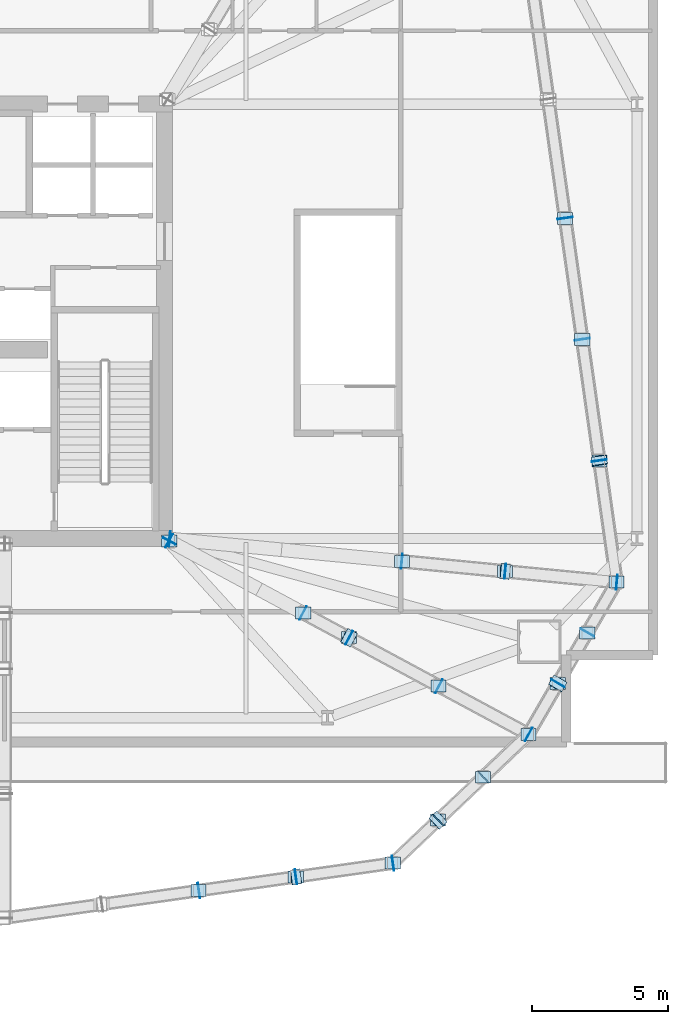
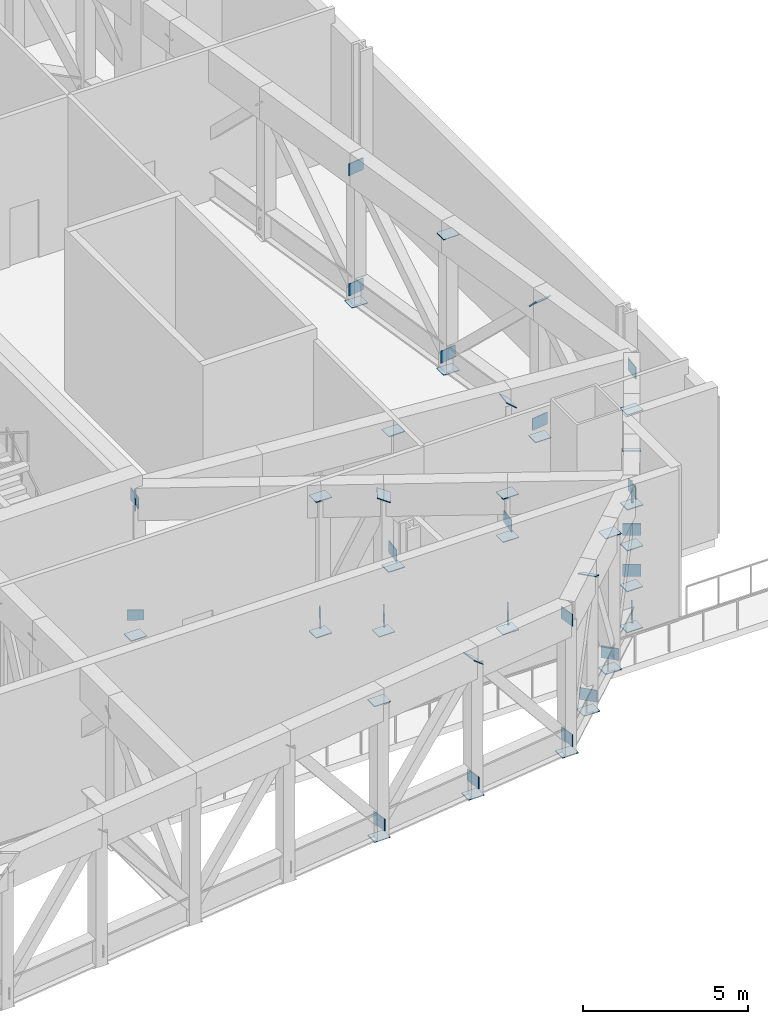
# One storey, part 7 of 15: 55 plates.
"""IFC4 building model written with IfcOpenShell, lengths in metres."""

from ifc_helpers import new_model, si_unit, direction, frame, origin, origin_2d, place, context, subcontext, project, spatial, rectangle, extrude, source, transform, mapped, material, layer, layer_set, type_object, element, save


model = new_model("IFC4")

# Units and contexts
model_context = context("Model", 3, precision=1e-05, world=origin(), true_north=direction((0.0, 1.0)))
body_context = subcontext(model_context, "Body", "Model", "MODEL_VIEW")
ifc_project = project(units=[si_unit("LENGTHUNIT", "METRE"), si_unit("AREAUNIT", "SQUARE_METRE"), si_unit("VOLUMEUNIT", "CUBIC_METRE"), si_unit("PLANEANGLEUNIT", "RADIAN"), si_unit("MASSUNIT", "GRAM", prefix="KILO")], contexts=[model_context])

# Site, building, storey
site_placement = place(None, origin())
site = spatial("IfcSite", under=ifc_project, at=site_placement, CompositionType="ELEMENT")
building_placement = place(site_placement, origin())
building = spatial("IfcBuilding", under=site, at=building_placement, Name="Haldenkirk Collegiate Tower", CompositionType="ELEMENT")
storey_placement = place(building_placement, frame((0.0, 0.0, 22.199951171875)))
storey = spatial("IfcBuildingStorey", under=building, at=storey_placement, Name="L04", CompositionType="ELEMENT", Elevation=22.199951171875)

# Plates
ifc_material = material(Name="Steel ASTM A572 Grade 50", Category="steel")
ifc_layer_1 = layer(ifc_material, 0.028076171875)
ifc_layer_set_1 = layer_set([ifc_layer_1], Name="Steel ASTM A572 Grade 50")
plate_type_1 = type_object("IfcPlateType", Name="PLT-CAP-INT-560X440", PredefinedType="USERDEFINED", material=ifc_layer_set_1)
shared_shape_1 = source(origin(), body_context, "Body", "SweptSolid", [
    extrude(rectangle(XDim=0.56005859375, YDim=0.43994140625, at=origin_2d()), origin(), (0.0, 0.0, 1.0), 0.028076171875),
])
for number, where, z_axis, x_axis, name in (
    (1, (45.178955078125, 17.90380859375, 4.989990234375), (-0.880555631758, 0.473942801801, 0.0), (-0.473942801801, -0.880555631758, 0.0), "Podium Transfer Truss Radial 02 top chord 1 end cap plate 1"),
    (2, (50.112060546875, 15.24853515625, 0.550048828125), (-0.880556049091, 0.473942026422, 0.0), (-0.473942026422, -0.880556049091, 0.0), "Podium Transfer Truss Radial 02 bottom chord 3 end plate 1"),
    (3, (51.785888671875, 14.34765625, 0.550048828125), (0.880556049091, -0.473942026422, 0.0), (0.473942026422, 0.880556049091, 0.0), "Podium Transfer Truss Radial 02 bottom chord 3 end plate 2"),
    (4, (51.78759765625, 14.3466796875, 4.9873046875), (0.347520113476, -0.187036061073, 0.918829300027), (0.473922051773, 0.880566799762, 3.27078e-07), "Podium Transfer Truss Radial 02 web diagonal 3 end cap plate 2"),
    (5, (55.092041015625, 12.56787109375, 0.550048828125), (0.880556049091, -0.473942026422, 0.0), (0.473942026422, 0.880556049091, 0.0), "Podium Transfer Truss Radial 02 bottom chord 4 end plate 2"),
    (6, (58.3984375, 10.78857421875, 4.989990234375), (0.880555631758, -0.473942801801, 0.0), (0.473942801801, 0.880555631758, 0.0), "Podium Transfer Truss Radial 02 top chord 5 end cap plate 2"),
    (7, (58.3984375, 10.78857421875, 0.550048828125), (0.880556049091, -0.473942026422, 0.0), (0.473942026422, 0.880556049091, 0.0), "Podium Transfer Truss Radial 02 bottom chord 5 end plate 2"),
    (8, (45.176025390625, 17.9052734375, 0.0029296875), (0.0, 0.0, -1.0), (1.0, 0.0, 0.0), "Podium Transfer Truss Radial 02 vertical post 1 end cap plate 1"),
    (9, (50.109375, 15.25, 0.0029296875), (0.0, 0.0, -1.0), (1.0, 0.0, 0.0), "Podium Transfer Truss Radial 02 vertical post 3 end cap plate 1"),
    (10, (50.109375, 15.25, 4.98681640625), (0.0, 0.0, 1.0), (1.0, 0.0, 0.0), "Podium Transfer Truss Radial 02 vertical post 3 end cap plate 2"),
    (11, (51.78857421875, 14.34619140625, 0.0029296875), (0.0, 0.0, -1.0), (1.0, 0.0, 0.0), "Podium Transfer Truss Radial 02 vertical post 4 end cap plate 1"),
    (12, (55.094970703125, 12.566650390625, 0.0029296875), (0.0, 0.0, -1.0), (1.0, 0.0, 0.0), "Podium Transfer Truss Radial 02 vertical post 5 end cap plate 1"),
    (13, (55.094970703125, 12.566650390625, 4.98681640625), (0.0, 0.0, 1.0), (1.0, 0.0, 0.0), "Podium Transfer Truss Radial 02 vertical post 5 end cap plate 2"),
    (14, (58.401123046875, 10.787109375, 0.0029296875), (0.0, 0.0, -1.0), (1.0, 0.0, 0.0), "Podium Transfer Truss Radial 02 vertical post 6 end cap plate 1"),
    (15, (45.2021484375, 17.98046875, 4.989990234375), (-0.995372356825, 0.096093034448, 0.0), (-0.096093034448, -0.995372356825, 0.0), "Podium Transfer Truss Radial 06 top chord 1 end cap plate 1"),
    (16, (53.7529296875, 17.155029296875, 0.550048828125), (-0.99537341813, 0.096082040362, 0.0), (-0.096082040362, -0.99537341813, 0.0), "Podium Transfer Truss Radial 06 bottom chord 3 end plate 1"),
    (17, (57.53271484375, 16.790283203125, 0.550048828125), (0.99537341813, -0.096082040362, 0.0), (0.096082040362, 0.99537341813, 0.0), "Podium Transfer Truss Radial 06 bottom chord 3 end plate 2"),
    (18, (57.533935546875, 16.790283203125, 4.98779296875), (0.647552960493, -0.062500996187, 0.759452953666), (0.096072139708, 0.995374373777, 1.20417e-07), "Podium Transfer Truss Radial 06 web diagonal 3 end cap plate 2"),
    (19, (61.64501953125, 16.393310546875, 4.989990234375), (0.995372356825, -0.096093034448, 0.0), (0.096093034448, 0.995372356825, 0.0), "Podium Transfer Truss Radial 06 top chord 4 end cap plate 2"),
    (20, (61.64501953125, 16.393310546875, 0.550048828125), (0.99537341813, -0.096082040362, 0.0), (0.096082040362, 0.99537341813, 0.0), "Podium Transfer Truss Radial 06 bottom chord 4 end plate 2"),
    (21, (53.75, 17.155517578125, 0.0029296875), (0.0, 0.0, -1.0), (1.0, 0.0, 0.0), "Podium Transfer Truss Radial 06 vertical post 3 end cap plate 1"),
    (22, (53.75, 17.155517578125, 4.98681640625), (0.0, 0.0, 1.0), (1.0, 0.0, 0.0), "Podium Transfer Truss Radial 06 vertical post 3 end cap plate 2"),
    (23, (57.535888671875, 16.7900390625, 0.0029296875), (0.0, 0.0, -1.0), (1.0, 0.0, 0.0), "Podium Transfer Truss Radial 06 vertical post 4 end cap plate 1"),
    (24, (61.648193359375, 16.39306640625, 0.0029296875), (0.0, 0.0, -1.0), (1.0, 0.0, 0.0), "Podium Transfer Truss Radial 06 vertical post 5 end cap plate 1"),
    (25, (46.252685546875, 5.029052734375, 0.550048828125), (0.990146978894, 0.140031997015, 0.0), (-0.140031997015, 0.990146978894, 0.0), "Podium Transfer Truss Belt 03 bottom chord 2 end plate 2"),
    (26, (49.826171875, 5.534423828125, 0.550048828125), (0.990146978894, 0.140031997015, 0.0), (-0.140031997015, 0.990146978894, 0.0), "Podium Transfer Truss Belt 03 bottom chord 3 end plate 2"),
    (27, (49.8271484375, 5.53466796875, 4.987548828125), (0.624532035882, 0.088313005074, 0.775990044583), (-0.140013277138, 0.99014962618, -4.01989e-07), "Podium Transfer Truss Belt 03 web diagonal 3 end cap plate 2"),
    (28, (53.399658203125, 6.039794921875, 4.989990234375), (0.990146404667, 0.140036057232, 0.0), (-0.140036057232, 0.990146404667, 0.0), "Podium Transfer Truss Belt 03 top chord 4 end cap plate 2"),
    (29, (53.399658203125, 6.039794921875, 0.550048828125), (0.990146978894, 0.140031997015, 0.0), (-0.140031997015, 0.990146978894, 0.0), "Podium Transfer Truss Belt 03 bottom chord 4 end plate 2"),
    (30, (46.255615234375, 5.029541015625, 0.0029296875), (0.0, 0.0, -1.0), (1.0, 0.0, 0.0), "Podium Transfer Truss Belt 03 vertical post 3 end cap plate 1"),
    (31, (46.255615234375, 5.029541015625, 4.98681640625), (0.0, 0.0, 1.0), (1.0, 0.0, 0.0), "Podium Transfer Truss Belt 03 vertical post 3 end cap plate 2"),
    (32, (49.8291015625, 5.534912109375, 0.0029296875), (0.0, 0.0, -1.0), (1.0, 0.0, 0.0), "Podium Transfer Truss Belt 03 vertical post 4 end cap plate 1"),
    (33, (53.402587890625, 6.040283203125, 0.0029296875), (0.0, 0.0, -1.0), (1.0, 0.0, 0.0), "Podium Transfer Truss Belt 03 vertical post 5 end cap plate 1"),
    (34, (55.066650390625, 7.620361328125, 0.550048828125), (0.725128051709, 0.688614049105, 0.0), (-0.688614049105, 0.725128051709, 0.0), "Podium Transfer Truss Belt 04 bottom chord 1 end plate 2"),
    (35, (55.06787109375, 7.621826171875, 4.9873046875), (0.333282921588, 0.316500925536, 0.88811579105), (-0.68861418154, 0.725127925942, -3.52907e-07), "Podium Transfer Truss Belt 04 web diagonal 1 end cap plate 2"),
    (36, (56.732666015625, 9.20263671875, 0.550048828125), (0.725128051709, 0.688614049105, 0.0), (-0.688614049105, 0.725128051709, 0.0), "Podium Transfer Truss Belt 04 bottom chord 2 end plate 2"),
    (37, (55.06884765625, 7.62255859375, 0.0029296875), (0.0, 0.0, -1.0), (1.0, 0.0, 0.0), "Podium Transfer Truss Belt 04 vertical post 2 end cap plate 1"),
    (38, (56.73486328125, 9.204833984375, 0.0029296875), (0.0, 0.0, -1.0), (1.0, 0.0, 0.0), "Podium Transfer Truss Belt 04 vertical post 3 end cap plate 1"),
    (39, (56.73486328125, 9.204833984375, 4.98681640625), (0.0, 0.0, 1.0), (1.0, 0.0, 0.0), "Podium Transfer Truss Belt 04 vertical post 3 end cap plate 2"),
    (40, (59.48193359375, 12.653076171875, 0.550048828125), (0.501207181994, 0.86532731421, 0.0), (-0.86532731421, 0.501207181994, 0.0), "Podium Transfer Truss Belt 05 bottom chord 1 end plate 2"),
    (41, (59.482666015625, 12.654541015625, 4.9873046875), (0.21921009134, 0.378468157699, 0.899282374709), (-0.865330220851, 0.501202163684, 6.3637e-08), "Podium Transfer Truss Belt 05 web diagonal 1 end cap plate 2"),
    (42, (60.564208984375, 14.521728515625, 0.550048828125), (0.501207181994, 0.86532731421, 0.0), (-0.86532731421, 0.501207181994, 0.0), "Podium Transfer Truss Belt 05 bottom chord 2 end plate 2"),
    (43, (59.4833984375, 12.65576171875, 0.0029296875), (0.0, 0.0, -1.0), (1.0, 0.0, 0.0), "Podium Transfer Truss Belt 05 vertical post 2 end cap plate 1"),
    (44, (60.56591796875, 14.5244140625, 0.0029296875), (0.0, 0.0, -1.0), (1.0, 0.0, 0.0), "Podium Transfer Truss Belt 05 vertical post 3 end cap plate 1"),
    (45, (60.56591796875, 14.5244140625, 4.98681640625), (0.0, 0.0, 1.0), (1.0, 0.0, 0.0), "Podium Transfer Truss Belt 05 vertical post 3 end cap plate 2"),
    (46, (61.01708984375, 20.855224609375, 0.550048828125), (-0.14003997879, 0.990145850035, 0.0), (-0.990145850035, -0.14003997879, 0.0), "Podium Transfer Truss Belt 06 bottom chord 1 end plate 2"),
    (47, (61.016845703125, 20.85595703125, 4.988037109375), (-0.099785963318, 0.705565740631, 0.701583742095), (-0.990146743567, -0.140033660964, 2.95157e-07), "Podium Transfer Truss Belt 06 web diagonal 1 end cap plate 2"),
    (48, (60.385498046875, 25.320556640625, 0.550048828125), (-0.14003997879, 0.990145850035, 0.0), (-0.990145850035, -0.14003997879, 0.0), "Podium Transfer Truss Belt 06 bottom chord 2 end plate 2"),
    (49, (59.75390625, 29.78564453125, 4.989990234375), (-0.140033957796, 0.990146701587, 0.0), (-0.990146701587, -0.140033957796, 0.0), "Podium Transfer Truss Belt 06 top chord 3 end cap plate 2"),
    (50, (59.75390625, 29.78564453125, 0.550048828125), (-0.14003997879, 0.990145850035, 0.0), (-0.990145850035, -0.14003997879, 0.0), "Podium Transfer Truss Belt 06 bottom chord 3 end plate 2"),
    (51, (61.0166015625, 20.858154296875, 0.0029296875), (0.0, 0.0, -1.0), (1.0, 0.0, 0.0), "Podium Transfer Truss Belt 06 vertical post 2 end cap plate 1"),
    (52, (60.385009765625, 25.323486328125, 0.0029296875), (0.0, 0.0, -1.0), (1.0, 0.0, 0.0), "Podium Transfer Truss Belt 06 vertical post 3 end cap plate 1"),
    (53, (60.385009765625, 25.323486328125, 4.98681640625), (0.0, 0.0, 1.0), (1.0, 0.0, 0.0), "Podium Transfer Truss Belt 06 vertical post 3 end cap plate 2"),
    (54, (59.75341796875, 29.788818359375, 0.0029296875), (0.0, 0.0, -1.0), (1.0, 0.0, 0.0), "Podium Transfer Truss Belt 06 vertical post 4 end cap plate 1"),
):
    element("IfcPlate", number, at=place(storey_placement, frame(where, z_axis=z_axis, x_axis=x_axis)), inside=storey, type_object=plate_type_1, Name=name, ObjectType="END CAP PLATE", PredefinedType="USERDEFINED", context=body_context, shape_type="MappedRepresentation", body=[
        mapped(shared_shape_1, transform((0.0, 0.0, 0.0), x_axis=(1.0, 0.0, 0.0), y_axis=(0.0, 1.0, 0.0), z_axis=(0.0, 0.0, 1.0), scale=1.0)),
    ])
ifc_layer_2 = layer(ifc_material, 0.031982421875)
ifc_layer_set_2 = layer_set([ifc_layer_2], Name="Steel ASTM A572 Grade 50")
plate_type_2 = type_object("IfcPlateType", Name="PLT-GUSSET-INT-520X380", PredefinedType="USERDEFINED", material=ifc_layer_set_2)
shared_shape_2 = source(origin(), body_context, "Body", "SweptSolid", [
    extrude(rectangle(XDim=0.52001953125, YDim=0.031982421875, at=origin_2d()), origin(), (0.0, 0.0, 1.0), 0.3798828125),
])
plate_placement = place(storey_placement, frame((45.176025390625, 17.9052734375, 0.550048828125), z_axis=(0.0, 0.0, 1.0), x_axis=(0.880555963461, -0.473942185518, 0.0)))
element("IfcPlate", 55, at=plate_placement, inside=storey, type_object=plate_type_2, Name="Podium Transfer Truss Radial 02 bottom node gusset plate 1", ObjectType="GUSSET PLATE", PredefinedType="USERDEFINED", context=body_context, shape_type="MappedRepresentation", body=[
    mapped(shared_shape_2, transform((0.0, 0.0, 0.0), x_axis=(1.0, 0.0, 0.0), y_axis=(0.0, 1.0, 0.0), z_axis=(0.0, 0.0, 1.0), scale=1.0)),
])

save(model, "model.ifc")
